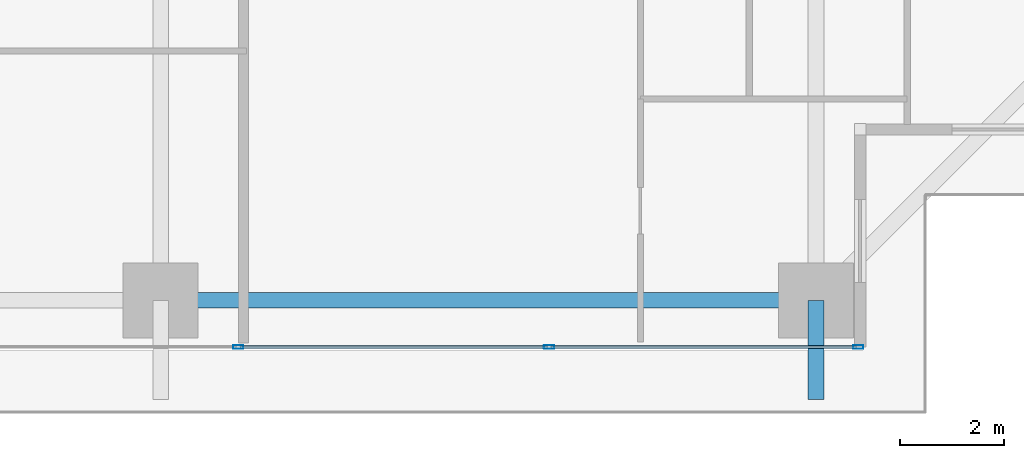
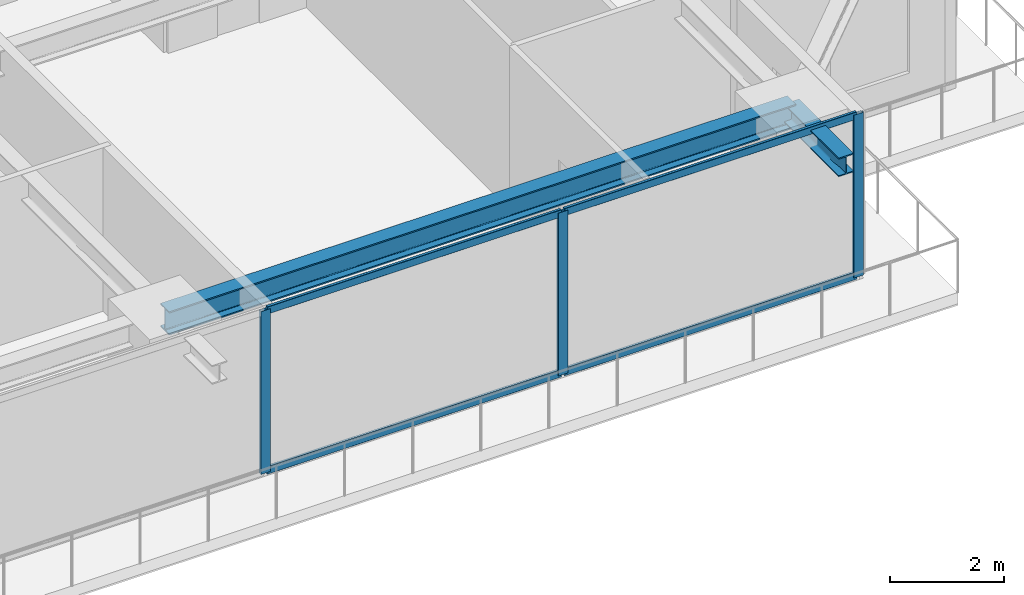
# One storey, part 10 of 37: 7 members, 2 beams, 1 element without a shape of its own.
"""IFC4 building model written with IfcOpenShell, lengths in metres."""

from ifc_helpers import new_model, si_unit, direction, frame, origin, origin_2d, place, context, subcontext, project, spatial, hollow_rectangle, i_section, extrude, source, transform, mapped, material, layer, layer_set, material_profile, profile_set, type_object, element, aggregate, save


model = new_model("IFC4")

# Units and contexts
model_context = context("Model", 3, precision=1e-05, world=origin(), true_north=direction((0.0, 1.0)))
body_context = subcontext(model_context, "Body", "Model", "MODEL_VIEW")
ifc_project = project(units=[si_unit("LENGTHUNIT", "METRE"), si_unit("AREAUNIT", "SQUARE_METRE"), si_unit("VOLUMEUNIT", "CUBIC_METRE"), si_unit("PLANEANGLEUNIT", "RADIAN"), si_unit("MASSUNIT", "GRAM", prefix="KILO")], contexts=[model_context])

# Site, building, storey
site_placement = place(None, origin())
site = spatial("IfcSite", under=ifc_project, at=site_placement, CompositionType="ELEMENT")
building_placement = place(site_placement, origin())
building = spatial("IfcBuilding", under=site, at=building_placement, Name="Serunith Strait Residences", CompositionType="ELEMENT")
storey_placement = place(building_placement, frame((0.0, 0.0, 26.699951171875)))
storey = spatial("IfcBuildingStorey", under=building, at=storey_placement, Name="L05", CompositionType="ELEMENT", Elevation=26.699951171875)

# Beams
ifc_material_1 = material(Name="Steel S355J2", Category="steel")
ifc_material_profile_1 = material_profile(ifc_material_1, i_section(OverallWidth=0.300048828125, OverallDepth=0.5, WebThickness=0.014404296875, FlangeThickness=0.028076171875, FilletRadius=0.027099609375, at=origin_2d()), Name="HEB 500")
ifc_profile_set_1 = profile_set([ifc_material_profile_1], Name="Steel S355J2")
beam_type_1 = type_object("IfcBeamType", Name="BM-HEB500", PredefinedType="BEAM", material=ifc_profile_set_1)
shared_shape_1 = source(origin(), body_context, "Body", "SweptSolid", [
    extrude(i_section(OverallWidth=0.300048828125, OverallDepth=0.5, WebThickness=0.014404296875, FlangeThickness=0.028076171875, FilletRadius=0.027099609375, at=origin_2d()), origin(), (0.0, 0.0, 1.0), 12.650146484375),
])
beam_1_placement = place(storey_placement, frame((36.89990234375, 1.10009765625, 3.237060546875), z_axis=(1.0, 0.0, 0.0), x_axis=(0.0, 1.0, 0.0)))
element("IfcBeam", 1, at=beam_1_placement, inside=storey, type_object=beam_type_1, Name="L05 Perimeter Ring Beam 03", PredefinedType="BEAM", context=body_context, shape_type="MappedRepresentation", body=[
    mapped(shared_shape_1, transform((0.0, 0.0, 0.0), scale=1.0)),
])
ifc_material_profile_2 = material_profile(ifc_material_1, i_section(OverallWidth=0.300048828125, OverallDepth=0.39990234375, WebThickness=0.013427734375, FlangeThickness=0.02392578125, FilletRadius=0.027099609375, at=origin_2d()), Name="HEB 400")
ifc_profile_set_2 = profile_set([ifc_material_profile_2], Name="Steel S355J2")
beam_type_2 = type_object("IfcBeamType", Name="BM-HEB400", PredefinedType="BEAM", material=ifc_profile_set_2)
shared_shape_2 = source(origin(), body_context, "Body", "SweptSolid", [
    extrude(i_section(OverallWidth=0.300048828125, OverallDepth=0.39990234375, WebThickness=0.013427734375, FlangeThickness=0.02392578125, FilletRadius=0.027099609375, at=origin_2d()), origin(), (0.0, 0.0, 1.0), 1.91015625),
])
beam_2_placement = place(storey_placement, frame((49.550048828125, 1.10009765625, 3.257080078125), z_axis=(0.0, -1.0, 0.0), x_axis=(1.0, 0.0, 0.0)))
element("IfcBeam", 2, at=beam_2_placement, inside=storey, type_object=beam_type_2, Name="L06 Cantilevered Balcony Rib TC-S4", PredefinedType="BEAM", context=body_context, shape_type="MappedRepresentation", body=[
    mapped(shared_shape_2, transform((0.0, 0.0, 0.0), scale=1.0)),
])

# Curtain wall, members
ifc_material_2 = material(Name="Pale-Champagne Anodised Aluminium", Category="aluminium")
ifc_layer = layer(ifc_material_2, 0.199951171875, Name="Pale-Champagne Anodised Aluminium")
ifc_layer_set = layer_set([ifc_layer], Name="Pale-Champagne Anodised Aluminium")
curtain_wall_type = type_object("IfcCurtainWallType", Name="CW-SYS1", PredefinedType="NOTDEFINED", material=ifc_layer_set)
curtain_wall_placement = place(storey_placement, origin())
curtain_wall = element("IfcCurtainWall", 3, at=curtain_wall_placement, inside=storey, type_object=curtain_wall_type, Name="L05 S Unitised Fritted Curtain Wall", PredefinedType="NOTDEFINED")
ifc_material_profile_3 = material_profile(ifc_material_2, hollow_rectangle(XDim=0.070068359375, YDim=0.199951171875, WallThickness=0.00390625, InnerFilletRadius=0.006103515625, OuterFilletRadius=0.010009765625, at=origin_2d()), Name="ALU 200x70x4")
ifc_profile_set_3 = profile_set([ifc_material_profile_3], Name="Pale-Champagne Anodised Aluminium")
member_type_1 = type_object("IfcMemberType", Name="CW-SYS1-MULL", PredefinedType="MULLION", material=ifc_profile_set_3)
shared_shape_3 = source(origin(), body_context, "Body", "SweptSolid", [
    extrude(hollow_rectangle(XDim=0.070068359375, YDim=0.199951171875, WallThickness=0.00390625, InnerFilletRadius=0.006103515625, OuterFilletRadius=0.010009765625, at=origin_2d()), origin(), (0.0, 0.0, 1.0), 3.47509765625),
])
member_1_placement = place(storey_placement, frame((38.39990234375, 0.199951171875, 0.0), z_axis=(0.0, 0.0, 1.0), x_axis=(0.0, 1.0, 0.0)))
member_1 = element("IfcMember", 4, at=member_1_placement, type_object=member_type_1, Name="CW-1 mullion 5", PredefinedType="MULLION", context=body_context, shape_type="MappedRepresentation", body=[
    mapped(shared_shape_3, transform((0.0, 0.0, 0.0), scale=1.0)),
])
member_2_placement = place(storey_placement, frame((44.39990234375, 0.199951171875, 0.0), z_axis=(0.0, 0.0, 1.0), x_axis=(0.0, 1.0, 0.0)))
member_2 = element("IfcMember", 5, at=member_2_placement, type_object=member_type_1, Name="CW-1 mullion 6", PredefinedType="MULLION", context=body_context, shape_type="MappedRepresentation", body=[
    mapped(shared_shape_3, transform((0.0, 0.0, 0.0), scale=1.0)),
])
member_3_placement = place(storey_placement, frame((50.364990234375, 0.199951171875, 0.0), z_axis=(0.0, 0.0, 1.0), x_axis=(0.0, 1.0, 0.0)))
member_3 = element("IfcMember", 6, at=member_3_placement, type_object=member_type_1, Name="CW-1 mullion 7", PredefinedType="MULLION", context=body_context, shape_type="MappedRepresentation", body=[
    mapped(shared_shape_3, transform((0.0, 0.0, 0.0), scale=1.0)),
])
ifc_material_profile_4 = material_profile(ifc_material_2, hollow_rectangle(XDim=0.06005859375, YDim=0.159912109375, WallThickness=0.00341796875, InnerFilletRadius=0.00537109375, OuterFilletRadius=0.0087890625, at=origin_2d()), Name="ALU 160x60x3.5")
ifc_profile_set_4 = profile_set([ifc_material_profile_4], Name="Pale-Champagne Anodised Aluminium")
member_type_2 = type_object("IfcMemberType", Name="CW-SYS1-TRAN", PredefinedType="USERDEFINED", material=ifc_profile_set_4)
shared_shape_4 = source(origin(), body_context, "Body", "SweptSolid", [
    extrude(hollow_rectangle(XDim=0.06005859375, YDim=0.159912109375, WallThickness=0.00341796875, InnerFilletRadius=0.00537109375, OuterFilletRadius=0.0087890625, at=origin_2d()), origin(), (0.0, 0.0, 1.0), 5.89501953125),
])
member_4_placement = place(storey_placement, frame((44.43505859375, 0.199951171875, 0.030029296875), z_axis=(1.0, 0.0, 0.0), x_axis=(0.0, 1.0, 0.0)))
member_4 = element("IfcMember", 7, at=member_4_placement, type_object=member_type_2, Name="CW-1 transom 6.1", ObjectType="TRANSOM", PredefinedType="USERDEFINED", context=body_context, shape_type="MappedRepresentation", body=[
    mapped(shared_shape_4, transform((0.0, 0.0, 0.0), scale=1.0)),
])
member_5_placement = place(storey_placement, frame((44.43505859375, 0.199951171875, 3.445068359375), z_axis=(1.0, 0.0, 0.0), x_axis=(0.0, 1.0, 0.0)))
member_5 = element("IfcMember", 8, at=member_5_placement, type_object=member_type_2, Name="CW-1 transom 6.2", ObjectType="TRANSOM", PredefinedType="USERDEFINED", context=body_context, shape_type="MappedRepresentation", body=[
    mapped(shared_shape_4, transform((0.0, 0.0, 0.0), scale=1.0)),
])
shared_shape_5 = source(origin(), body_context, "Body", "SweptSolid", [
    extrude(hollow_rectangle(XDim=0.06005859375, YDim=0.159912109375, WallThickness=0.00341796875, InnerFilletRadius=0.00537109375, OuterFilletRadius=0.0087890625, at=origin_2d()), origin(), (0.0, 0.0, 1.0), 5.929931640625),
])
member_6_placement = place(storey_placement, frame((38.43505859375, 0.199951171875, 0.030029296875), z_axis=(1.0, 0.0, 0.0), x_axis=(0.0, 1.0, 0.0)))
member_6 = element("IfcMember", 9, at=member_6_placement, type_object=member_type_2, Name="CW-1 transom 5.1", ObjectType="TRANSOM", PredefinedType="USERDEFINED", context=body_context, shape_type="MappedRepresentation", body=[
    mapped(shared_shape_5, transform((0.0, 0.0, 0.0), scale=1.0)),
])
member_7_placement = place(storey_placement, frame((38.43505859375, 0.199951171875, 3.445068359375), z_axis=(1.0, 0.0, 0.0), x_axis=(0.0, 1.0, 0.0)))
member_7 = element("IfcMember", 10, at=member_7_placement, type_object=member_type_2, Name="CW-1 transom 5.2", ObjectType="TRANSOM", PredefinedType="USERDEFINED", context=body_context, shape_type="MappedRepresentation", body=[
    mapped(shared_shape_5, transform((0.0, 0.0, 0.0), scale=1.0)),
])
aggregate(curtain_wall, [member_1, member_2, member_3, member_6, member_7, member_4, member_5])

save(model, "model.ifc")
